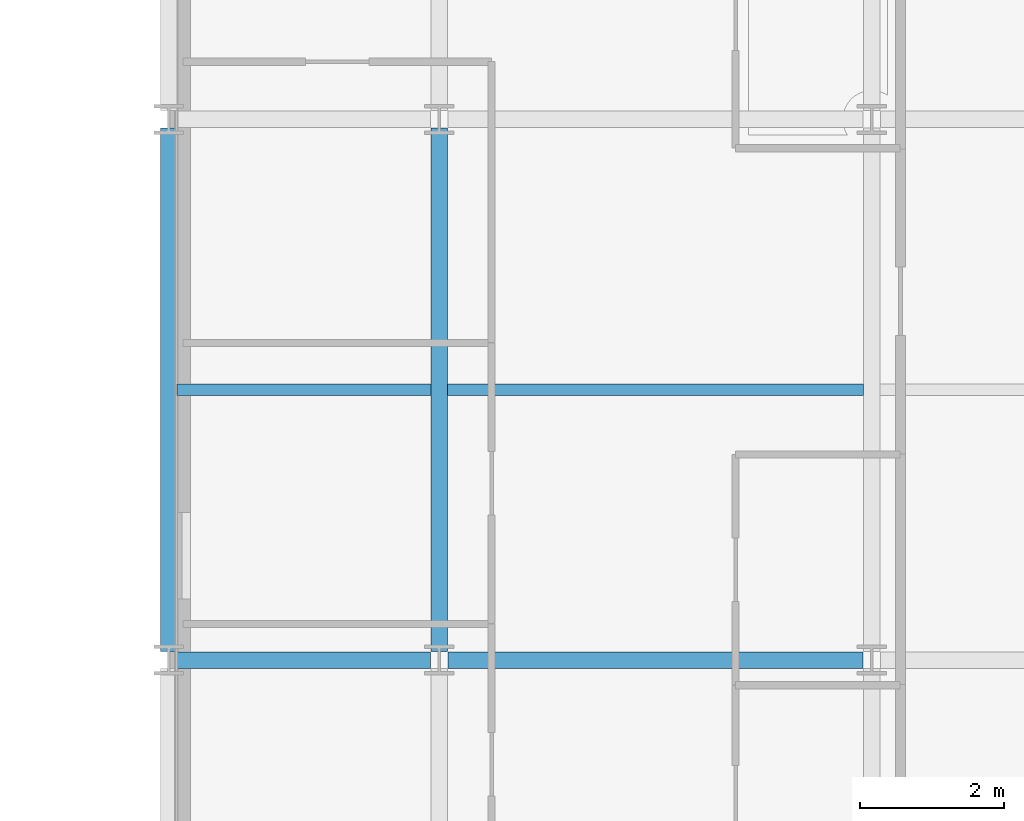
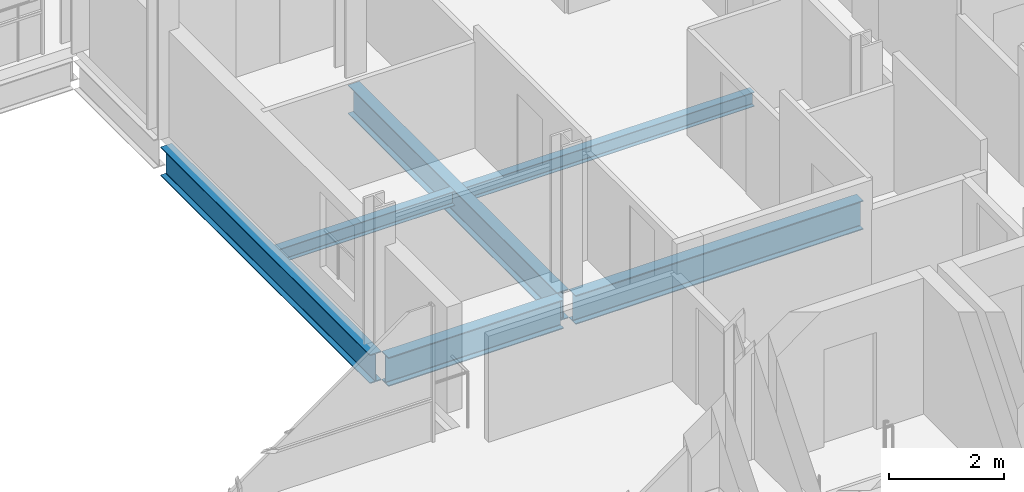
# One storey, part 16 of 41: 6 beams.
"""IFC4 building model written with IfcOpenShell, lengths in metres."""

from ifc_helpers import new_model, si_unit, direction, frame, origin, origin_2d, place, context, subcontext, project, spatial, i_section, extrude, material, material_profile, profile_set, type_object, element, save


model = new_model("IFC4")

# Units and contexts
model_context = context("Model", 3, precision=1e-05, world=origin(), true_north=direction((0.0, 1.0)))
body_context = subcontext(model_context, "Body", "Model", "MODEL_VIEW")
ifc_project = project(units=[si_unit("LENGTHUNIT", "METRE"), si_unit("AREAUNIT", "SQUARE_METRE"), si_unit("VOLUMEUNIT", "CUBIC_METRE"), si_unit("PLANEANGLEUNIT", "RADIAN"), si_unit("MASSUNIT", "GRAM", prefix="KILO")], contexts=[model_context])

# Site, building, storey
site_placement = place(None, origin())
site = spatial("IfcSite", under=ifc_project, at=site_placement, CompositionType="ELEMENT")
building_placement = place(site_placement, origin())
building = spatial("IfcBuilding", under=site, at=building_placement, Name="Brevholm Reach", CompositionType="ELEMENT")
storey_placement = place(building_placement, frame((0.0, 0.0, 112.800048828125)))
storey = spatial("IfcBuildingStorey", under=building, at=storey_placement, Name="L33", CompositionType="ELEMENT", Elevation=112.800048828125)

# Beams
ifc_material_1 = material(Name="Structural Steel S355J2", Category="steel")
ifc_material_profile_1 = material_profile(ifc_material_1, i_section(OverallWidth=0.1650390625, OverallDepth=0.303466796875, WebThickness=0.006103515625, FlangeThickness=0.01025390625, FilletRadius=0.0087890625, at=origin_2d()), Name="UKB 305x165x40")
ifc_profile_set_1 = profile_set([ifc_material_profile_1], Name="Structural Steel S355J2")
beam_type_1 = type_object("IfcBeamType", Name="BM-B305", PredefinedType="BEAM", material=ifc_profile_set_1)
beam_1_placement = place(storey_placement, frame((38.364501953125, 19.75, -0.371826171875), z_axis=(1.0, 0.0, 0.0), x_axis=(0.0, 1.0, 0.0)))
element("IfcBeam", 1, at=beam_1_placement, inside=storey, type_object=beam_type_1, Name="L33 Composite Secondary Floor Beam", PredefinedType="BEAM", context=body_context, shape_type="SweptSolid", body=[
    extrude(i_section(OverallWidth=0.1650390625, OverallDepth=0.303466796875, WebThickness=0.006103515625, FlangeThickness=0.01025390625, FilletRadius=0.0087890625, at=origin_2d()), origin(), (0.0, 0.0, 1.0), 3.52099609375),
])
beam_2_placement = place(storey_placement, frame((42.114501953125, 19.75, -0.371826171875), z_axis=(1.0, 0.0, 0.0), x_axis=(0.0, 1.0, 0.0)))
element("IfcBeam", 2, at=beam_2_placement, inside=storey, type_object=beam_type_1, Name="L33 Composite Secondary Floor Beam", PredefinedType="BEAM", context=body_context, shape_type="SweptSolid", body=[
    extrude(i_section(OverallWidth=0.1650390625, OverallDepth=0.303466796875, WebThickness=0.006103515625, FlangeThickness=0.01025390625, FilletRadius=0.0087890625, at=origin_2d()), origin(), (0.0, 0.0, 1.0), 5.77099609375),
])
ifc_material_2 = material(Name="Structural Steel S355J2", Category="steel")
ifc_material_profile_2 = material_profile(ifc_material_2, i_section(OverallWidth=0.22900390625, OverallDepth=0.6123046875, WebThickness=0.011962890625, FlangeThickness=0.01953125, FilletRadius=0.0126953125, at=origin_2d()), Name="UKB 610x229x125")
ifc_profile_set_2 = profile_set([ifc_material_profile_2], Name="Structural Steel S355J2")
beam_type_2 = type_object("IfcBeamType", Name="BM-SP610", PredefinedType="SPANDREL", material=ifc_profile_set_2)
beam_3_placement = place(storey_placement, frame((38.3701171875, 16.0, -0.526123046875), z_axis=(1.0, 0.0, 0.0), x_axis=(0.0, 1.0, 0.0)))
element("IfcBeam", 3, at=beam_3_placement, inside=storey, type_object=beam_type_2, Name="L33 SP-01 Framing Beam", PredefinedType="SPANDREL", context=body_context, shape_type="SweptSolid", body=[
    extrude(i_section(OverallWidth=0.22900390625, OverallDepth=0.6123046875, WebThickness=0.011962890625, FlangeThickness=0.01953125, FilletRadius=0.0126953125, at=origin_2d()), origin(), (0.0, 0.0, 1.0), 3.509765625),
])
beam_4_placement = place(storey_placement, frame((42.1201171875, 16.0, -0.526123046875), z_axis=(1.0, 0.0, 0.0), x_axis=(0.0, 1.0, 0.0)))
element("IfcBeam", 4, at=beam_4_placement, inside=storey, type_object=beam_type_2, Name="L33 SP-01 Framing Beam", PredefinedType="SPANDREL", context=body_context, shape_type="SweptSolid", body=[
    extrude(i_section(OverallWidth=0.22900390625, OverallDepth=0.6123046875, WebThickness=0.011962890625, FlangeThickness=0.01953125, FilletRadius=0.0126953125, at=origin_2d()), origin(), (0.0, 0.0, 1.0), 5.759765625),
])
for number, where, z_axis, x_axis, name in (
    (5, (38.25, 16.1201171875, -0.526123046875), (0.0, 1.0, 0.0), (-1.0, 0.0, 0.0), "L33 SP-01 Framing Beam"),
    (6, (42.0, 16.1201171875, -0.526123046875), (0.0, 1.0, 0.0), (-1.0, 0.0, 0.0), "L33 SP-01 Framing Beam"),
):
    element("IfcBeam", number, at=place(storey_placement, frame(where, z_axis=z_axis, x_axis=x_axis)), inside=storey, type_object=beam_type_2, Name=name, PredefinedType="SPANDREL", context=body_context, shape_type="SweptSolid", body=[
        extrude(i_section(OverallWidth=0.22900390625, OverallDepth=0.6123046875, WebThickness=0.011962890625, FlangeThickness=0.01953125, FilletRadius=0.0126953125, at=origin_2d()), origin(), (0.0, 0.0, 1.0), 7.259765625),
    ])

save(model, "model.ifc")
